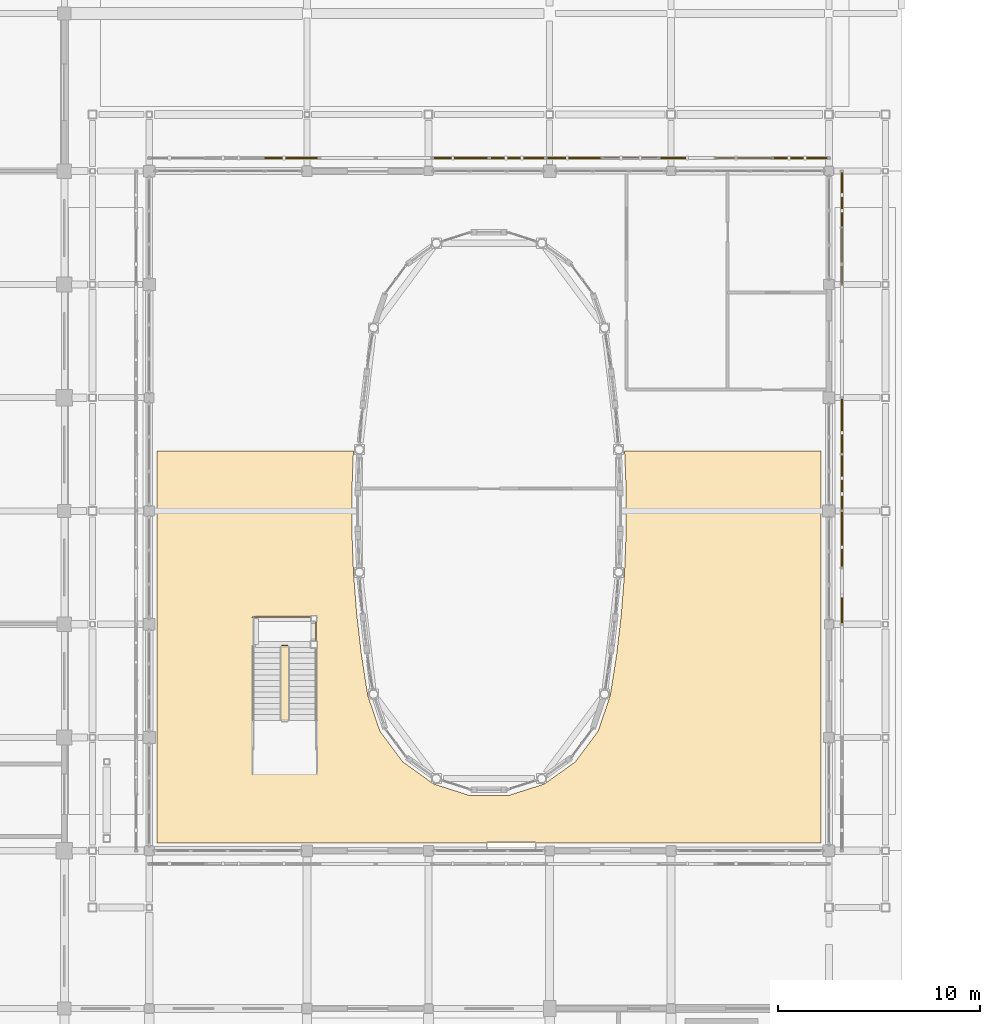
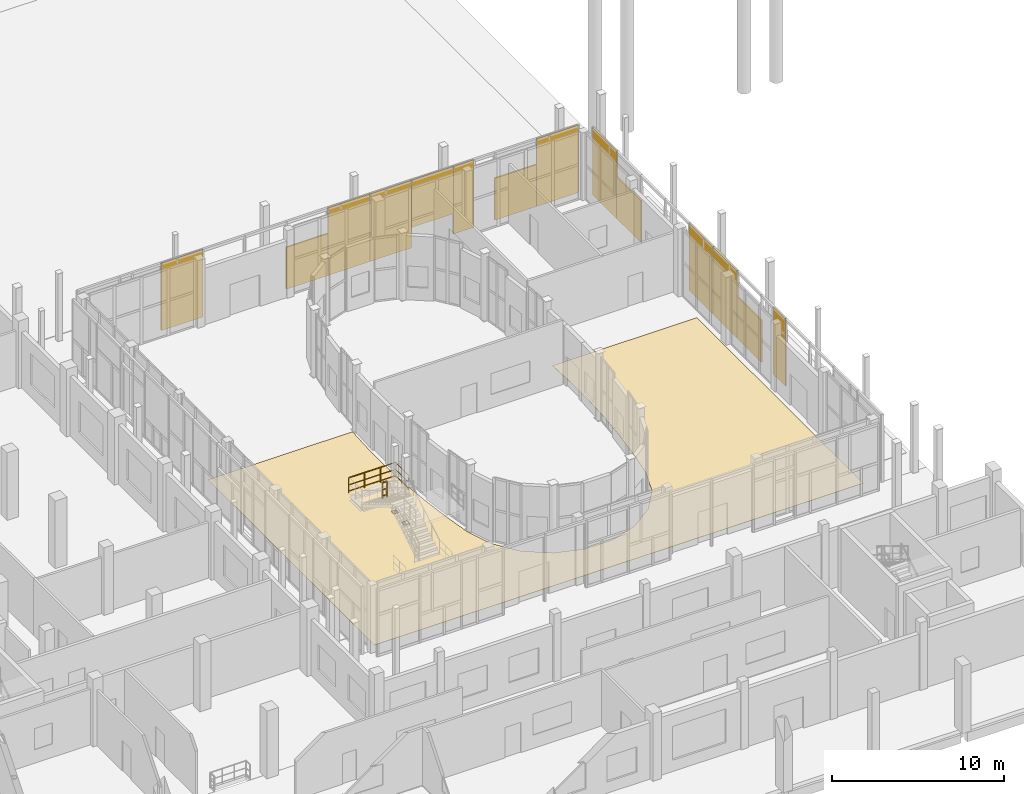
# One storey, part 85 of 91: 14 shading devices, 3 railings, 1 covering.
"""IFC4 building model written with IfcOpenShell, lengths in metres."""

from ifc_helpers import new_model, si_unit, direction, frame, origin, origin_2d, place, context, subcontext, project, spatial, polyline, rectangle, circle, outline, extrude, material, layer, layer_set, type_object, element, save


model = new_model("IFC4")

# Units and contexts
model_context = context("Model", 3, precision=1e-05, world=origin(), true_north=direction((0.0, 1.0)))
body_context = subcontext(model_context, "Body", "Model", "MODEL_VIEW")
ifc_project = project(units=[si_unit("LENGTHUNIT", "METRE"), si_unit("AREAUNIT", "SQUARE_METRE"), si_unit("VOLUMEUNIT", "CUBIC_METRE"), si_unit("PLANEANGLEUNIT", "RADIAN"), si_unit("MASSUNIT", "GRAM", prefix="KILO")], contexts=[model_context])

# Site, building, storey
site_placement = place(None, origin())
site = spatial("IfcSite", under=ifc_project, at=site_placement, CompositionType="ELEMENT")
building_placement = place(site_placement, origin())
building = spatial("IfcBuilding", under=site, at=building_placement, Name="Vinh Khe Railworks Police Headquarters", CompositionType="ELEMENT")
storey_placement = place(building_placement, origin())
storey = spatial("IfcBuildingStorey", under=building, at=storey_placement, Name="L00", CompositionType="ELEMENT", Elevation=0.0)

# Covering
ifc_material_1 = material(Name="Honed granite terrazzo flooring", Category="masonry")
ifc_layer = layer(ifc_material_1, 0.02001953125)
ifc_layer_set = layer_set([ifc_layer], Name="Honed granite terrazzo flooring")
covering_type = type_object("IfcCoveringType", Name="COV-FLR-TERRAZZO", PredefinedType="FLOORING", material=ifc_layer_set)
covering_placement = place(storey_placement, origin())
element("IfcCovering", 1, at=covering_placement, inside=storey, type_object=covering_type, Name="Terrazzo Floor Finish Public Entrance Hall", PredefinedType="FLOORING", context=body_context, shape_type="SweptSolid", body=[
    extrude(outline(polyline([(26.7900390625, 25.590087890625), (59.610107421875, 25.590087890625), (59.610107421875, 44.9599609375), (49.905517578125, 44.9599609375), (49.980224609375, 43.016845703125), (49.980224609375, 40.983154296875), (49.90185546875, 38.951171875), (49.745361328125, 36.923583984375), (49.510986328125, 34.903564453125), (49.19580078125, 32.87451171875), (48.593994140625, 31.109619140625), (47.4697265625, 29.596923828125), (45.93701171875, 28.500244140625), (44.142333984375, 27.92431640625), (42.257568359375, 27.92431640625), (40.463134765625, 28.500244140625), (38.930419921875, 29.596923828125), (37.80615234375, 31.109619140625), (37.204345703125, 32.87451171875), (36.88916015625, 34.903564453125), (36.654541015625, 36.923583984375), (36.498046875, 38.951171875), (36.419677734375, 40.983154296875), (36.419677734375, 43.016845703125), (36.49462890625, 44.9599609375), (26.7900390625, 44.9599609375), (26.7900390625, 25.590087890625)]), holes=[polyline([(34.72998046875, 35.219970703125), (34.3701171875, 35.219970703125), (34.3701171875, 35.580078125), (34.72998046875, 35.580078125), (34.72998046875, 35.219970703125)]), polyline([(34.705078125, 36.52490234375), (34.39501953125, 36.52490234375), (34.39501953125, 36.8349609375), (34.705078125, 36.8349609375), (34.705078125, 36.52490234375)])]), origin(), (0.0, 0.0, 1.0), 0.02001953125),
])

# Railings
ifc_material_2 = material(Name="Dark steel and laminated safety glass", Category="steel")
railing_type = type_object("IfcRailingType", Name="RL-ATRIUM-1150", PredefinedType="BALUSTRADE", material=ifc_material_2)
railing_1_placement = place(storey_placement, frame((33.25, 35.340087890625, 2.39990234375)))
element("IfcRailing", 2, at=railing_1_placement, inside=storey, type_object=railing_type, Name="L00 ST-08 stair guard 2", PredefinedType="BALUSTRADE", context=body_context, shape_type="SweptSolid", body=[
    extrude(circle(Radius=0.02392578125, at=origin_2d()), frame((0.0, 0.0, 1.076171875), z_axis=(-1.0, 0.0, 0.0), x_axis=(0.0, -1.0, 0.0)), (0.0, 0.0, 1.0), 0.300048828125),
    extrude(circle(Radius=0.01416015625, at=origin_2d()), frame((0.0, 0.0, 0.132080078125), z_axis=(-1.0, 0.0, 0.0), x_axis=(0.0, -1.0, 0.0)), (0.0, 0.0, 1.0), 0.300048828125),
    extrude(circle(Radius=0.01416015625, at=origin_2d()), frame((0.0, 0.0, 0.572021484375), z_axis=(-1.0, 0.0, 0.0), x_axis=(0.0, -1.0, 0.0)), (0.0, 0.0, 1.0), 0.300048828125),
    extrude(circle(Radius=0.02099609375, at=origin_2d()), origin(), (0.0, 0.0, 1.0), 1.052001953125),
    extrude(circle(Radius=0.02099609375, at=origin_2d()), frame((-0.300048828125, 0.0, 0.0)), (0.0, 0.0, 1.0), 1.052001953125),
])
railing_2_placement = place(storey_placement, frame((34.64990234375, 35.2900390625, 2.39990234375)))
element("IfcRailing", 3, at=railing_2_placement, inside=storey, type_object=railing_type, Name="L00 ST-08 stair guard 3", PredefinedType="BALUSTRADE", context=body_context, shape_type="SweptSolid", body=[
    extrude(circle(Radius=0.02392578125, at=origin_2d()), frame((0.0, 0.0, 1.076171875), z_axis=(0.0, 1.0, 0.0), x_axis=(-1.0, 0.0, 0.0)), (0.0, 0.0, 1.0), 1.510009765625),
    extrude(circle(Radius=0.01416015625, at=origin_2d()), frame((0.0, 0.0, 0.132080078125), z_axis=(0.0, 1.0, 0.0), x_axis=(-1.0, 0.0, 0.0)), (0.0, 0.0, 1.0), 1.510009765625),
    extrude(circle(Radius=0.01416015625, at=origin_2d()), frame((0.0, 0.0, 0.572021484375), z_axis=(0.0, 1.0, 0.0), x_axis=(-1.0, 0.0, 0.0)), (0.0, 0.0, 1.0), 1.510009765625),
    extrude(circle(Radius=0.02099609375, at=origin_2d()), origin(), (0.0, 0.0, 1.0), 1.052001953125),
    extrude(circle(Radius=0.02099609375, at=origin_2d()), frame((0.0, 0.7548828125, 0.0)), (0.0, 0.0, 1.0), 1.052001953125),
    extrude(circle(Radius=0.02099609375, at=origin_2d()), frame((0.0, 1.510009765625, 0.0)), (0.0, 0.0, 1.0), 1.052001953125),
])
railing_3_placement = place(storey_placement, frame((34.699951171875, 36.75, 2.39990234375)))
element("IfcRailing", 4, at=railing_3_placement, inside=storey, type_object=railing_type, Name="L00 ST-08 stair guard 5", PredefinedType="BALUSTRADE", context=body_context, shape_type="SweptSolid", body=[
    extrude(circle(Radius=0.02392578125, at=origin_2d()), frame((0.0, 0.0, 1.076171875), z_axis=(-1.0, 0.0, 0.0), x_axis=(0.0, -1.0, 0.0)), (0.0, 0.0, 1.0), 3.199951171875),
    extrude(circle(Radius=0.01416015625, at=origin_2d()), frame((0.0, 0.0, 0.132080078125), z_axis=(-1.0, 0.0, 0.0), x_axis=(0.0, -1.0, 0.0)), (0.0, 0.0, 1.0), 3.199951171875),
    extrude(circle(Radius=0.01416015625, at=origin_2d()), frame((0.0, 0.0, 0.572021484375), z_axis=(-1.0, 0.0, 0.0), x_axis=(0.0, -1.0, 0.0)), (0.0, 0.0, 1.0), 3.199951171875),
    extrude(circle(Radius=0.02099609375, at=origin_2d()), origin(), (0.0, 0.0, 1.0), 1.052001953125),
    extrude(circle(Radius=0.02099609375, at=origin_2d()), frame((-1.066650390625, 0.0, 0.0)), (0.0, 0.0, 1.0), 1.052001953125),
    extrude(circle(Radius=0.02099609375, at=origin_2d()), frame((-2.13330078125, 0.0, 0.0)), (0.0, 0.0, 1.0), 1.052001953125),
    extrude(circle(Radius=0.02099609375, at=origin_2d()), frame((-3.199951171875, 0.0, 0.0)), (0.0, 0.0, 1.0), 1.052001953125),
])

# Shading devices
ifc_material_3 = material(Name="Salvaged ironwood timber", Category="wood")
shading_device_type_1 = type_object("IfcShadingDeviceType", Name="SHD-QS-01", PredefinedType="JALOUSIE", material=ifc_material_3)
shading_device_1_placement = place(storey_placement, frame((41.800048828125, 59.449951171875, 0.0), z_axis=(0.0, 0.0, 1.0), x_axis=(1.0, 0.0, 0.0)))
element("IfcShadingDevice", 5, at=shading_device_1_placement, inside=storey, type_object=shading_device_type_1, Name="Salvaged Ironwood Quilt Casement N-6", PredefinedType="JALOUSIE", context=body_context, shape_type="SweptSolid", body=[
    extrude(rectangle(XDim=2.800048828125, YDim=0.090087890625, at=origin_2d()), origin(), (0.0, 0.0, 1.0), 2.97607421875),
])
shading_device_2_placement = place(storey_placement, frame((50.199951171875, 59.449951171875, 1.43994140625), z_axis=(0.0, 0.0, 1.0), x_axis=(1.0, 0.0, 0.0)))
element("IfcShadingDevice", 6, at=shading_device_2_placement, inside=storey, type_object=shading_device_type_1, Name="Salvaged Ironwood Upper Quilt Frame N-9", PredefinedType="JALOUSIE", context=body_context, shape_type="SweptSolid", body=[
    extrude(rectangle(XDim=2.800048828125, YDim=0.090087890625, at=origin_2d()), origin(), (0.0, 0.0, 1.0), 3.360107421875),
])
for number, where, z_axis, x_axis, name in (
    (7, (55.800048828125, 59.449951171875, 0.0), (0.0, 0.0, 1.0), (1.0, 0.0, 0.0), "Salvaged Ironwood Quilt Casement N-11"),
    (8, (60.64990234375, 40.60009765625, 0.0), (0.0, 0.0, 1.0), (0.0, 1.0, 0.0), "Salvaged Ironwood Quilt Casement E-6"),
    (9, (60.64990234375, 54.60009765625, 0.0), (0.0, 0.0, 1.0), (0.0, 1.0, 0.0), "Salvaged Ironwood Quilt Casement E-11"),
):
    element("IfcShadingDevice", number, at=place(storey_placement, frame(where, z_axis=z_axis, x_axis=x_axis)), inside=storey, type_object=shading_device_type_1, Name=name, PredefinedType="JALOUSIE", context=body_context, shape_type="SweptSolid", body=[
        extrude(rectangle(XDim=2.800048828125, YDim=0.090087890625, at=origin_2d()), origin(), (0.0, 0.0, 1.0), 2.97607421875),
    ])
shading_device_type_2 = type_object("IfcShadingDeviceType", Name="SHD-QS-02", PredefinedType="JALOUSIE", material=ifc_material_3)
for number, where, z_axis, x_axis, name in (
    (10, (52.300048828125, 59.449951171875, 0.0), (0.0, 0.0, 1.0), (1.0, 0.0, 0.0), "Ironwood Tall Quilt Casement N-10L"),
    (11, (60.64990234375, 37.10009765625, 0.0), (0.0, 0.0, 1.0), (0.0, 1.0, 0.0), "Ironwood Tall Quilt Casement E-5L"),
):
    element("IfcShadingDevice", number, at=place(storey_placement, frame(where, z_axis=z_axis, x_axis=x_axis)), inside=storey, type_object=shading_device_type_2, Name=name, PredefinedType="JALOUSIE", context=body_context, shape_type="SweptSolid", body=[
        extrude(rectangle(XDim=1.39990234375, YDim=0.090087890625, at=origin_2d()), origin(), (0.0, 0.0, 1.0), 4.800048828125),
    ])
ifc_material_4 = material(Name="Weathered architectural steel", Category="steel")
shading_device_type_3 = type_object("IfcShadingDeviceType", Name="SHD-QS-03", PredefinedType="SHUTTER", material=ifc_material_4)
for number, where, z_axis, x_axis, name in (
    (12, (33.39990234375, 59.449951171875, 0.0), (0.0, 0.0, 1.0), (1.0, 0.0, 0.0), "Dark Steel Patchwork Casement Frame N-3"),
    (13, (47.39990234375, 59.449951171875, 0.0), (0.0, 0.0, 1.0), (1.0, 0.0, 0.0), "Dark Steel Patchwork Casement Frame N-8"),
    (14, (60.64990234375, 46.199951171875, 0.0), (0.0, 0.0, 1.0), (0.0, 1.0, 0.0), "Dark Steel Patchwork Casement Frame E-8"),
):
    element("IfcShadingDevice", number, at=place(storey_placement, frame(where, z_axis=z_axis, x_axis=x_axis)), inside=storey, type_object=shading_device_type_3, Name=name, PredefinedType="SHUTTER", context=body_context, shape_type="SweptSolid", body=[
        extrude(rectangle(XDim=2.800048828125, YDim=0.080078125, at=origin_2d()), origin(), (0.0, 0.0, 1.0), 4.800048828125),
    ])
shading_device_type_4 = type_object("IfcShadingDeviceType", Name="SHD-QS-04", PredefinedType="SHUTTER", material=ifc_material_3)
for number, where, z_axis, x_axis, name in (
    (15, (44.60009765625, 59.449951171875, 0.0), (0.0, 0.0, 1.0), (1.0, 0.0, 0.0), "Shuttered Ironwood Casement N-7"),
    (16, (58.60009765625, 59.449951171875, 0.0), (0.0, 0.0, 1.0), (1.0, 0.0, 0.0), "Shuttered Ironwood Casement N-12"),
    (17, (60.64990234375, 43.39990234375, 0.0), (0.0, 0.0, 1.0), (0.0, 1.0, 0.0), "Shuttered Ironwood Casement E-7"),
    (18, (60.64990234375, 57.39990234375, 0.0), (0.0, 0.0, 1.0), (0.0, 1.0, 0.0), "Shuttered Ironwood Casement E-12"),
):
    element("IfcShadingDevice", number, at=place(storey_placement, frame(where, z_axis=z_axis, x_axis=x_axis)), inside=storey, type_object=shading_device_type_4, Name=name, PredefinedType="SHUTTER", context=body_context, shape_type="SweptSolid", body=[
        extrude(rectangle(XDim=2.800048828125, YDim=0.090087890625, at=origin_2d()), origin(), (0.0, 0.0, 1.0), 4.800048828125),
    ])

save(model, "model.ifc")
